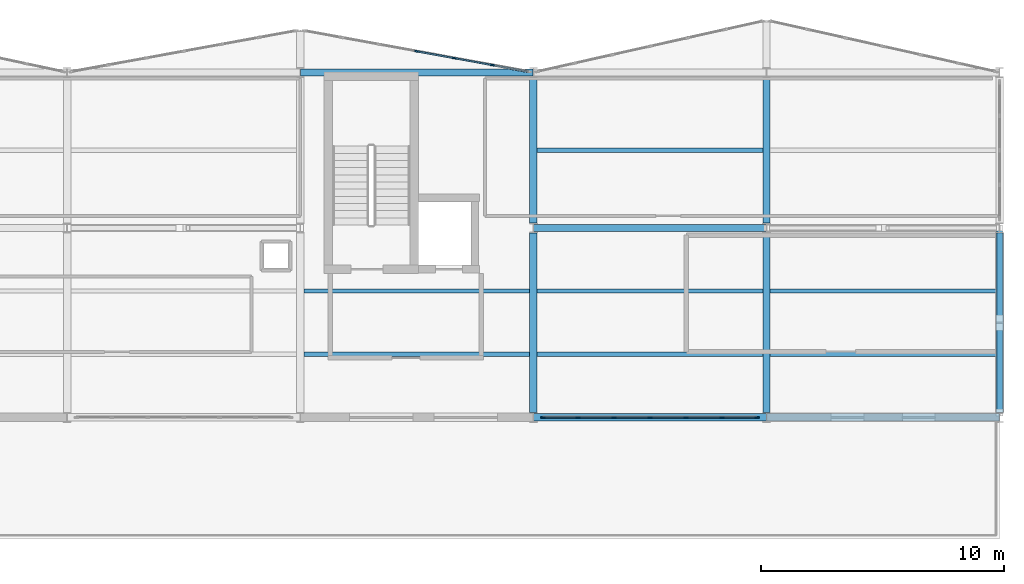
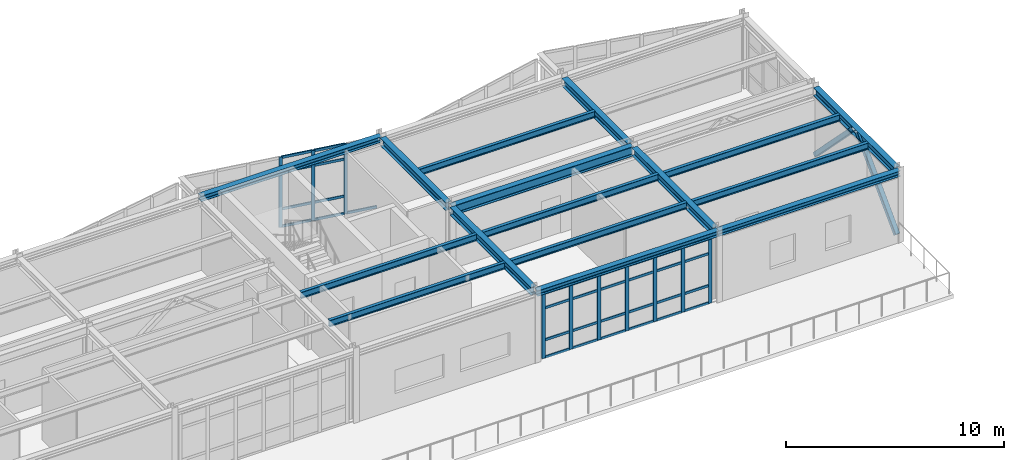
# One storey, part 25 of 47: 45 members, 16 beams, 2 elements without a shape of their own.
"""IFC4 building model written with IfcOpenShell, lengths in metres."""

from ifc_helpers import new_model, si_unit, direction, frame, origin, origin_2d, place, context, subcontext, project, spatial, rectangle, hollow_rectangle, i_section, extrude, material, layer, layer_set, material_profile, profile_set, type_object, element, aggregate, save


model = new_model("IFC4")

# Units and contexts
model_context = context("Model", 3, precision=1e-05, world=origin(), true_north=direction((0.0, 1.0)))
body_context = subcontext(model_context, "Body", "Model", "MODEL_VIEW")
ifc_project = project(units=[si_unit("LENGTHUNIT", "METRE"), si_unit("AREAUNIT", "SQUARE_METRE"), si_unit("VOLUMEUNIT", "CUBIC_METRE"), si_unit("PLANEANGLEUNIT", "RADIAN"), si_unit("MASSUNIT", "GRAM", prefix="KILO")], contexts=[model_context])

# Site, building, storey
site_placement = place(None, origin())
site = spatial("IfcSite", under=ifc_project, at=site_placement, CompositionType="ELEMENT")
building_placement = place(site_placement, origin())
building = spatial("IfcBuilding", under=site, at=building_placement, Name="Nordkorset Police Headquarters", CompositionType="ELEMENT")
storey_placement = place(building_placement, frame((0.0, 0.0, 22.050048828125)))
storey = spatial("IfcBuildingStorey", under=building, at=storey_placement, Name="L05", CompositionType="ELEMENT", Elevation=22.050048828125)

# Beams
ifc_material_1 = material(Name="Steel S355J2", Category="steel")
ifc_material_profile_1 = material_profile(ifc_material_1, i_section(OverallWidth=0.169921875, OverallDepth=0.360107421875, WebThickness=0.008056640625, FlangeThickness=0.0126953125, FilletRadius=0.01806640625, at=origin_2d()), Name="IPE 360")
ifc_profile_set_1 = profile_set([ifc_material_profile_1], Name="Steel S355J2")
beam_type_1 = type_object("IfcBeamType", Name="Beam_IPE_360", PredefinedType="BEAM", material=ifc_profile_set_1)
for number, where, z_axis, x_axis, name in (
    (1, (57.75, 105.199951171875, 3.820068359375), (1.0, 0.0, 0.0), (0.0, 1.0, 0.0), "Composite Floor Beam V2 L05 3-0-1"),
    (2, (57.75, 107.800048828125, 3.820068359375), (1.0, 0.0, 0.0), (0.0, 1.0, 0.0), "Composite Floor Beam V2 L05 3-0-2"),
):
    element("IfcBeam", number, at=place(storey_placement, frame(where, z_axis=z_axis, x_axis=x_axis)), inside=storey, type_object=beam_type_1, Name=name, PredefinedType="BEAM", context=body_context, shape_type="SweptSolid", body=[
        extrude(i_section(OverallWidth=0.169921875, OverallDepth=0.360107421875, WebThickness=0.008056640625, FlangeThickness=0.0126953125, FilletRadius=0.01806640625, at=origin_2d()), origin(), (0.0, 0.0, 1.0), 9.300048828125),
    ])
for number, where, z_axis, x_axis, name in (
    (3, (67.35009765625, 105.199951171875, 3.820068359375), (1.0, 0.0, 0.0), (0.0, 1.0, 0.0), "Composite Floor Beam V2 L05 4-0-1"),
    (4, (67.35009765625, 107.800048828125, 3.820068359375), (1.0, 0.0, 0.0), (0.0, 1.0, 0.0), "Composite Floor Beam V2 L05 4-0-2"),
    (5, (67.35009765625, 113.60009765625, 3.820068359375), (1.0, 0.0, 0.0), (0.0, 1.0, 0.0), "Composite Floor Beam V2 L05 4-1-1"),
):
    element("IfcBeam", number, at=place(storey_placement, frame(where, z_axis=z_axis, x_axis=x_axis)), inside=storey, type_object=beam_type_1, Name=name, PredefinedType="BEAM", context=body_context, shape_type="SweptSolid", body=[
        extrude(i_section(OverallWidth=0.169921875, OverallDepth=0.360107421875, WebThickness=0.008056640625, FlangeThickness=0.0126953125, FilletRadius=0.01806640625, at=origin_2d()), origin(), (0.0, 0.0, 1.0), 9.2998046875),
    ])
for number, where, z_axis, x_axis, name in (
    (6, (76.949951171875, 105.199951171875, 3.784912109375), (1.0, 0.0, 0.0), (0.0, 1.0, 0.0), "Composite Floor Beam V2 L05 5-0-1"),
    (7, (76.949951171875, 107.800048828125, 3.784912109375), (1.0, 0.0, 0.0), (0.0, 1.0, 0.0), "Composite Floor Beam V2 L05 5-0-2"),
):
    element("IfcBeam", number, at=place(storey_placement, frame(where, z_axis=z_axis, x_axis=x_axis)), inside=storey, type_object=beam_type_1, Name=name, PredefinedType="BEAM", context=body_context, shape_type="SweptSolid", body=[
        extrude(i_section(OverallWidth=0.169921875, OverallDepth=0.360107421875, WebThickness=0.008056640625, FlangeThickness=0.0126953125, FilletRadius=0.01806640625, at=origin_2d()), origin(), (0.0, 0.0, 1.0), 9.300048828125),
    ])

# Members
ifc_material_2 = material(Name="Steel S355J2", Category="steel")
ifc_material_profile_2 = material_profile(ifc_material_2, hollow_rectangle(XDim=0.25, YDim=0.25, WallThickness=0.012451171875, InnerFilletRadius=0.012451171875, OuterFilletRadius=0.02490234375, at=origin_2d()), Name="SHS 250x250x12.5")
ifc_profile_set_2 = profile_set([ifc_material_profile_2], Name="Steel S355J2")
member_type_1 = type_object("IfcMemberType", Name="Brace_SHS_250x250x12.5", PredefinedType="BRACE", material=ifc_profile_set_2)
for number, where, z_axis, x_axis, name in (
    (8, (86.39990234375, 102.800048828125, 0.199951171875), (0.0, 0.701100395581, 0.713062574615), (-1.0, 0.0, 0.0), "Lateral Chevron Brace BF-EXT-V2E L05 D1"),
    (9, (86.39990234375, 110.199951171875, 0.199951171875), (0.0, -0.701100395581, 0.713062574615), (1.0, 0.0, 0.0), "Lateral Chevron Brace BF-EXT-V2E L05 D2"),
):
    element("IfcMember", number, at=place(storey_placement, frame(where, z_axis=z_axis, x_axis=x_axis)), inside=storey, type_object=member_type_1, Name=name, PredefinedType="BRACE", context=body_context, shape_type="SweptSolid", body=[
        extrude(hollow_rectangle(XDim=0.25, YDim=0.25, WallThickness=0.012451171875, InnerFilletRadius=0.012451171875, OuterFilletRadius=0.02490234375, at=origin_2d()), origin(), (0.0, 0.0, 1.0), 5.020751953125),
    ])

# Curtain wall, members
ifc_material_3 = material(Name="Aluminium alloy AW-6060", Category="aluminium")
ifc_layer_1 = layer(ifc_material_3, 0.179931640625, Name="Aluminium alloy AW-6060")
ifc_layer_set_1 = layer_set([ifc_layer_1], Name="Aluminium alloy AW-6060")
curtain_wall_type_1 = type_object("IfcCurtainWallType", Name="CW_Unit_948x392", PredefinedType="USERDEFINED", material=ifc_layer_set_1)
curtain_wall_1_placement = place(storey_placement, origin())
curtain_wall_1 = element("IfcCurtainWall", 10, at=curtain_wall_1_placement, inside=storey, type_object=curtain_wall_type_1, Name="Unitised Curtain Wall L05 V2N-3", ObjectType="UNITISED CURTAIN WALL", PredefinedType="USERDEFINED")
ifc_material_4 = material(Name="Aluminium alloy AW-6060", Category="aluminium")
ifc_material_profile_3 = material_profile(ifc_material_4, rectangle(XDim=0.06494140625, YDim=0.179931640625, at=origin_2d()), Name="ALU MULL 65x180")
ifc_profile_set_3 = profile_set([ifc_material_profile_3], Name="Aluminium alloy AW-6060")
member_type_2 = type_object("IfcMemberType", Name="CW_Mullion_65x180", PredefinedType="MULLION", material=ifc_profile_set_3)
member_1_placement = place(storey_placement, frame((62.39990234375, 117.675048828125, 0.0), z_axis=(0.0, 0.0, 1.0), x_axis=(0.179335715876, 0.983787934979, 0.0)))
member_1 = element("IfcMember", 11, at=member_1_placement, type_object=member_type_2, Name="CW-65 mullion 4", PredefinedType="MULLION", context=body_context, shape_type="SweptSolid", body=[
    extrude(rectangle(XDim=0.06494140625, YDim=0.179931640625, at=origin_2d()), origin(), (0.0, 0.0, 1.0), 3.919921875),
])
member_2_placement = place(storey_placement, frame((63.9541015625, 117.3916015625, 0.0), z_axis=(0.0, 0.0, 1.0), x_axis=(0.179335715876, 0.983787934979, 0.0)))
member_2 = element("IfcMember", 12, at=member_2_placement, type_object=member_type_2, Name="CW-65 mullion 5", PredefinedType="MULLION", context=body_context, shape_type="SweptSolid", body=[
    extrude(rectangle(XDim=0.06494140625, YDim=0.179931640625, at=origin_2d()), origin(), (0.0, 0.0, 1.0), 3.919921875),
])
member_3_placement = place(storey_placement, frame((65.50830078125, 117.1083984375, 0.0), z_axis=(0.0, 0.0, 1.0), x_axis=(0.179335715876, 0.983787934979, 0.0)))
member_3 = element("IfcMember", 13, at=member_3_placement, type_object=member_type_2, Name="CW-65 mullion 6", PredefinedType="MULLION", context=body_context, shape_type="SweptSolid", body=[
    extrude(rectangle(XDim=0.06494140625, YDim=0.179931640625, at=origin_2d()), origin(), (0.0, 0.0, 1.0), 3.919921875),
])

ifc_material_5 = material(Name="Aluminium alloy AW-6060", Category="aluminium")
ifc_layer_2 = layer(ifc_material_5, 0.179931640625, Name="Aluminium alloy AW-6060")
ifc_layer_set_2 = layer_set([ifc_layer_2], Name="Aluminium alloy AW-6060")
curtain_wall_type_2 = type_object("IfcCurtainWallType", Name="CW_Unit_888x364", PredefinedType="USERDEFINED", material=ifc_layer_set_2)
curtain_wall_2_placement = place(storey_placement, origin())
curtain_wall_2 = element("IfcCurtainWall", 14, at=curtain_wall_2_placement, inside=storey, type_object=curtain_wall_type_2, Name="Unitised Curtain Wall L05 V2S-4", ObjectType="UNITISED CURTAIN WALL", PredefinedType="USERDEFINED")
member_4_placement = place(storey_placement, frame((67.592529296875, 102.60009765625, 0.0), z_axis=(0.0, 0.0, 1.0), x_axis=(0.0, 1.0, 0.0)))
member_4 = element("IfcMember", 15, at=member_4_placement, type_object=member_type_2, Name="CW-53 mullion 1", PredefinedType="MULLION", context=body_context, shape_type="SweptSolid", body=[
    extrude(rectangle(XDim=0.06494140625, YDim=0.179931640625, at=origin_2d()), origin(), (0.0, 0.0, 1.0), 3.635009765625),
])
member_5_placement = place(storey_placement, frame((69.0400390625, 102.60009765625, 0.0), z_axis=(0.0, 0.0, 1.0), x_axis=(0.0, 1.0, 0.0)))
member_5 = element("IfcMember", 16, at=member_5_placement, type_object=member_type_2, Name="CW-53 mullion 2", PredefinedType="MULLION", context=body_context, shape_type="SweptSolid", body=[
    extrude(rectangle(XDim=0.06494140625, YDim=0.179931640625, at=origin_2d()), origin(), (0.0, 0.0, 1.0), 3.635009765625),
])
member_6_placement = place(storey_placement, frame((70.52001953125, 102.60009765625, 0.0), z_axis=(0.0, 0.0, 1.0), x_axis=(0.0, 1.0, 0.0)))
member_6 = element("IfcMember", 17, at=member_6_placement, type_object=member_type_2, Name="CW-53 mullion 3", PredefinedType="MULLION", context=body_context, shape_type="SweptSolid", body=[
    extrude(rectangle(XDim=0.06494140625, YDim=0.179931640625, at=origin_2d()), origin(), (0.0, 0.0, 1.0), 3.635009765625),
])
member_7_placement = place(storey_placement, frame((72.0, 102.60009765625, 0.0), z_axis=(0.0, 0.0, 1.0), x_axis=(0.0, 1.0, 0.0)))
member_7 = element("IfcMember", 18, at=member_7_placement, type_object=member_type_2, Name="CW-53 mullion 4", PredefinedType="MULLION", context=body_context, shape_type="SweptSolid", body=[
    extrude(rectangle(XDim=0.06494140625, YDim=0.179931640625, at=origin_2d()), origin(), (0.0, 0.0, 1.0), 3.635009765625),
])
member_8_placement = place(storey_placement, frame((73.47998046875, 102.60009765625, 0.0), z_axis=(0.0, 0.0, 1.0), x_axis=(0.0, 1.0, 0.0)))
member_8 = element("IfcMember", 19, at=member_8_placement, type_object=member_type_2, Name="CW-53 mullion 5", PredefinedType="MULLION", context=body_context, shape_type="SweptSolid", body=[
    extrude(rectangle(XDim=0.06494140625, YDim=0.179931640625, at=origin_2d()), origin(), (0.0, 0.0, 1.0), 3.635009765625),
])
member_9_placement = place(storey_placement, frame((74.9599609375, 102.60009765625, 0.0), z_axis=(0.0, 0.0, 1.0), x_axis=(0.0, 1.0, 0.0)))
member_9 = element("IfcMember", 20, at=member_9_placement, type_object=member_type_2, Name="CW-53 mullion 6", PredefinedType="MULLION", context=body_context, shape_type="SweptSolid", body=[
    extrude(rectangle(XDim=0.06494140625, YDim=0.179931640625, at=origin_2d()), origin(), (0.0, 0.0, 1.0), 3.635009765625),
])
member_10_placement = place(storey_placement, frame((76.407470703125, 102.60009765625, 0.0), z_axis=(0.0, 0.0, 1.0), x_axis=(0.0, 1.0, 0.0)))
member_10 = element("IfcMember", 21, at=member_10_placement, type_object=member_type_2, Name="CW-53 mullion 7", PredefinedType="MULLION", context=body_context, shape_type="SweptSolid", body=[
    extrude(rectangle(XDim=0.06494140625, YDim=0.179931640625, at=origin_2d()), origin(), (0.0, 0.0, 1.0), 3.635009765625),
])

# Member
ifc_material_6 = material(Name="Aluminium alloy AW-6060", Category="aluminium")
ifc_material_profile_4 = material_profile(ifc_material_6, rectangle(XDim=0.06494140625, YDim=0.139892578125, at=origin_2d()), Name="ALU TRAN 65x140")
ifc_profile_set_4 = profile_set([ifc_material_profile_4], Name="Aluminium alloy AW-6060")
member_type_3 = type_object("IfcMemberType", Name="CW_Transom_65x140", PredefinedType="USERDEFINED", material=ifc_profile_set_4)
member_11_placement = place(storey_placement, frame((62.431884765625, 117.669189453125, 0.032470703125), z_axis=(0.983779529869, -0.179381817946, 0.0), x_axis=(0.179381817946, 0.983779529869, 0.0)))
member_11 = element("IfcMember", 22, at=member_11_placement, type_object=member_type_3, Name="CW-65 transom 4.1", ObjectType="TRANSOM", PredefinedType="USERDEFINED", context=body_context, shape_type="SweptSolid", body=[
    extrude(rectangle(XDim=0.06494140625, YDim=0.139892578125, at=origin_2d()), origin(), (0.0, 0.0, 1.0), 1.514892578125),
])

member_12_placement = place(storey_placement, frame((62.431884765625, 117.669189453125, 1.0), z_axis=(0.983779529869, -0.179381817946, 0.0), x_axis=(0.179381817946, 0.983779529869, 0.0)))
member_12 = element("IfcMember", 23, at=member_12_placement, type_object=member_type_3, Name="CW-65 transom 4.2", ObjectType="TRANSOM", PredefinedType="USERDEFINED", context=body_context, shape_type="SweptSolid", body=[
    extrude(rectangle(XDim=0.06494140625, YDim=0.139892578125, at=origin_2d()), origin(), (0.0, 0.0, 1.0), 1.514892578125),
])

member_13_placement = place(storey_placement, frame((62.431884765625, 117.669189453125, 3.070068359375), z_axis=(0.983779529869, -0.179381817946, 0.0), x_axis=(0.179381817946, 0.983779529869, 0.0)))
member_13 = element("IfcMember", 24, at=member_13_placement, type_object=member_type_3, Name="CW-65 transom 4.3", ObjectType="TRANSOM", PredefinedType="USERDEFINED", context=body_context, shape_type="SweptSolid", body=[
    extrude(rectangle(XDim=0.06494140625, YDim=0.139892578125, at=origin_2d()), origin(), (0.0, 0.0, 1.0), 1.514892578125),
])

member_14_placement = place(storey_placement, frame((62.431884765625, 117.669189453125, 3.887451171875), z_axis=(0.983779529869, -0.179381817946, 0.0), x_axis=(0.179381817946, 0.983779529869, 0.0)))
member_14 = element("IfcMember", 25, at=member_14_placement, type_object=member_type_3, Name="CW-65 transom 4.4", ObjectType="TRANSOM", PredefinedType="USERDEFINED", context=body_context, shape_type="SweptSolid", body=[
    extrude(rectangle(XDim=0.06494140625, YDim=0.139892578125, at=origin_2d()), origin(), (0.0, 0.0, 1.0), 1.514892578125),
])

member_15_placement = place(storey_placement, frame((63.986083984375, 117.385986328125, 0.032470703125), z_axis=(0.983779529869, -0.179381817946, 0.0), x_axis=(0.179381817946, 0.983779529869, 0.0)))
member_15 = element("IfcMember", 26, at=member_15_placement, type_object=member_type_3, Name="CW-65 transom 5.1", ObjectType="TRANSOM", PredefinedType="USERDEFINED", context=body_context, shape_type="SweptSolid", body=[
    extrude(rectangle(XDim=0.06494140625, YDim=0.139892578125, at=origin_2d()), origin(), (0.0, 0.0, 1.0), 1.514892578125),
])

member_16_placement = place(storey_placement, frame((63.986083984375, 117.385986328125, 1.0), z_axis=(0.983779529869, -0.179381817946, 0.0), x_axis=(0.179381817946, 0.983779529869, 0.0)))
member_16 = element("IfcMember", 27, at=member_16_placement, type_object=member_type_3, Name="CW-65 transom 5.2", ObjectType="TRANSOM", PredefinedType="USERDEFINED", context=body_context, shape_type="SweptSolid", body=[
    extrude(rectangle(XDim=0.06494140625, YDim=0.139892578125, at=origin_2d()), origin(), (0.0, 0.0, 1.0), 1.514892578125),
])

member_17_placement = place(storey_placement, frame((63.986083984375, 117.385986328125, 3.070068359375), z_axis=(0.983779529869, -0.179381817946, 0.0), x_axis=(0.179381817946, 0.983779529869, 0.0)))
member_17 = element("IfcMember", 28, at=member_17_placement, type_object=member_type_3, Name="CW-65 transom 5.3", ObjectType="TRANSOM", PredefinedType="USERDEFINED", context=body_context, shape_type="SweptSolid", body=[
    extrude(rectangle(XDim=0.06494140625, YDim=0.139892578125, at=origin_2d()), origin(), (0.0, 0.0, 1.0), 1.514892578125),
])

member_18_placement = place(storey_placement, frame((63.986083984375, 117.385986328125, 3.887451171875), z_axis=(0.983779529869, -0.179381817946, 0.0), x_axis=(0.179381817946, 0.983779529869, 0.0)))
member_18 = element("IfcMember", 29, at=member_18_placement, type_object=member_type_3, Name="CW-65 transom 5.4", ObjectType="TRANSOM", PredefinedType="USERDEFINED", context=body_context, shape_type="SweptSolid", body=[
    extrude(rectangle(XDim=0.06494140625, YDim=0.139892578125, at=origin_2d()), origin(), (0.0, 0.0, 1.0), 1.514892578125),
])

member_19_placement = place(storey_placement, frame((65.5400390625, 117.1025390625, 0.032470703125), z_axis=(0.98378282961, -0.179363720316, 0.0), x_axis=(0.179363720316, 0.98378282961, 0.0)))
member_19 = element("IfcMember", 30, at=member_19_placement, type_object=member_type_3, Name="CW-65 transom 6.1", ObjectType="TRANSOM", PredefinedType="USERDEFINED", context=body_context, shape_type="SweptSolid", body=[
    extrude(rectangle(XDim=0.06494140625, YDim=0.139892578125, at=origin_2d()), origin(), (0.0, 0.0, 1.0), 1.482177734375),
])

aggregate(curtain_wall_1, [member_1, member_2, member_3, member_11, member_12, member_13, member_14, member_15, member_16, member_17, member_18, member_19])

member_20_placement = place(storey_placement, frame((67.625, 102.60009765625, 0.032470703125), z_axis=(1.0, 0.0, 0.0), x_axis=(0.0, 1.0, 0.0)))
member_20 = element("IfcMember", 31, at=member_20_placement, type_object=member_type_3, Name="CW-53 transom 1.1", ObjectType="TRANSOM", PredefinedType="USERDEFINED", context=body_context, shape_type="SweptSolid", body=[
    extrude(rectangle(XDim=0.06494140625, YDim=0.139892578125, at=origin_2d()), origin(), (0.0, 0.0, 1.0), 1.382568359375),
])

member_21_placement = place(storey_placement, frame((67.625, 102.60009765625, 1.0), z_axis=(1.0, 0.0, 0.0), x_axis=(0.0, 1.0, 0.0)))
member_21 = element("IfcMember", 32, at=member_21_placement, type_object=member_type_3, Name="CW-53 transom 1.2", ObjectType="TRANSOM", PredefinedType="USERDEFINED", context=body_context, shape_type="SweptSolid", body=[
    extrude(rectangle(XDim=0.06494140625, YDim=0.139892578125, at=origin_2d()), origin(), (0.0, 0.0, 1.0), 1.382568359375),
])

member_22_placement = place(storey_placement, frame((67.625, 102.60009765625, 2.784912109375), z_axis=(1.0, 0.0, 0.0), x_axis=(0.0, 1.0, 0.0)))
member_22 = element("IfcMember", 33, at=member_22_placement, type_object=member_type_3, Name="CW-53 transom 1.3", ObjectType="TRANSOM", PredefinedType="USERDEFINED", context=body_context, shape_type="SweptSolid", body=[
    extrude(rectangle(XDim=0.06494140625, YDim=0.139892578125, at=origin_2d()), origin(), (0.0, 0.0, 1.0), 1.382568359375),
])

member_23_placement = place(storey_placement, frame((67.625, 102.60009765625, 3.6025390625), z_axis=(1.0, 0.0, 0.0), x_axis=(0.0, 1.0, 0.0)))
member_23 = element("IfcMember", 34, at=member_23_placement, type_object=member_type_3, Name="CW-53 transom 1.4", ObjectType="TRANSOM", PredefinedType="USERDEFINED", context=body_context, shape_type="SweptSolid", body=[
    extrude(rectangle(XDim=0.06494140625, YDim=0.139892578125, at=origin_2d()), origin(), (0.0, 0.0, 1.0), 1.382568359375),
])

member_24_placement = place(storey_placement, frame((69.072509765625, 102.60009765625, 0.032470703125), z_axis=(1.0, 0.0, 0.0), x_axis=(0.0, 1.0, 0.0)))
member_24 = element("IfcMember", 35, at=member_24_placement, type_object=member_type_3, Name="CW-53 transom 2.1", ObjectType="TRANSOM", PredefinedType="USERDEFINED", context=body_context, shape_type="SweptSolid", body=[
    extrude(rectangle(XDim=0.06494140625, YDim=0.139892578125, at=origin_2d()), origin(), (0.0, 0.0, 1.0), 1.4150390625),
])

member_25_placement = place(storey_placement, frame((69.072509765625, 102.60009765625, 1.0), z_axis=(1.0, 0.0, 0.0), x_axis=(0.0, 1.0, 0.0)))
member_25 = element("IfcMember", 36, at=member_25_placement, type_object=member_type_3, Name="CW-53 transom 2.2", ObjectType="TRANSOM", PredefinedType="USERDEFINED", context=body_context, shape_type="SweptSolid", body=[
    extrude(rectangle(XDim=0.06494140625, YDim=0.139892578125, at=origin_2d()), origin(), (0.0, 0.0, 1.0), 1.4150390625),
])

member_26_placement = place(storey_placement, frame((69.072509765625, 102.60009765625, 2.784912109375), z_axis=(1.0, 0.0, 0.0), x_axis=(0.0, 1.0, 0.0)))
member_26 = element("IfcMember", 37, at=member_26_placement, type_object=member_type_3, Name="CW-53 transom 2.3", ObjectType="TRANSOM", PredefinedType="USERDEFINED", context=body_context, shape_type="SweptSolid", body=[
    extrude(rectangle(XDim=0.06494140625, YDim=0.139892578125, at=origin_2d()), origin(), (0.0, 0.0, 1.0), 1.4150390625),
])

member_27_placement = place(storey_placement, frame((69.072509765625, 102.60009765625, 3.6025390625), z_axis=(1.0, 0.0, 0.0), x_axis=(0.0, 1.0, 0.0)))
member_27 = element("IfcMember", 38, at=member_27_placement, type_object=member_type_3, Name="CW-53 transom 2.4", ObjectType="TRANSOM", PredefinedType="USERDEFINED", context=body_context, shape_type="SweptSolid", body=[
    extrude(rectangle(XDim=0.06494140625, YDim=0.139892578125, at=origin_2d()), origin(), (0.0, 0.0, 1.0), 1.4150390625),
])

member_28_placement = place(storey_placement, frame((70.552490234375, 102.60009765625, 0.032470703125), z_axis=(1.0, 0.0, 0.0), x_axis=(0.0, 1.0, 0.0)))
member_28 = element("IfcMember", 39, at=member_28_placement, type_object=member_type_3, Name="CW-53 transom 3.1", ObjectType="TRANSOM", PredefinedType="USERDEFINED", context=body_context, shape_type="SweptSolid", body=[
    extrude(rectangle(XDim=0.06494140625, YDim=0.139892578125, at=origin_2d()), origin(), (0.0, 0.0, 1.0), 1.4150390625),
])

member_29_placement = place(storey_placement, frame((70.552490234375, 102.60009765625, 1.0), z_axis=(1.0, 0.0, 0.0), x_axis=(0.0, 1.0, 0.0)))
member_29 = element("IfcMember", 40, at=member_29_placement, type_object=member_type_3, Name="CW-53 transom 3.2", ObjectType="TRANSOM", PredefinedType="USERDEFINED", context=body_context, shape_type="SweptSolid", body=[
    extrude(rectangle(XDim=0.06494140625, YDim=0.139892578125, at=origin_2d()), origin(), (0.0, 0.0, 1.0), 1.4150390625),
])

member_30_placement = place(storey_placement, frame((70.552490234375, 102.60009765625, 2.784912109375), z_axis=(1.0, 0.0, 0.0), x_axis=(0.0, 1.0, 0.0)))
member_30 = element("IfcMember", 41, at=member_30_placement, type_object=member_type_3, Name="CW-53 transom 3.3", ObjectType="TRANSOM", PredefinedType="USERDEFINED", context=body_context, shape_type="SweptSolid", body=[
    extrude(rectangle(XDim=0.06494140625, YDim=0.139892578125, at=origin_2d()), origin(), (0.0, 0.0, 1.0), 1.4150390625),
])

member_31_placement = place(storey_placement, frame((70.552490234375, 102.60009765625, 3.6025390625), z_axis=(1.0, 0.0, 0.0), x_axis=(0.0, 1.0, 0.0)))
member_31 = element("IfcMember", 42, at=member_31_placement, type_object=member_type_3, Name="CW-53 transom 3.4", ObjectType="TRANSOM", PredefinedType="USERDEFINED", context=body_context, shape_type="SweptSolid", body=[
    extrude(rectangle(XDim=0.06494140625, YDim=0.139892578125, at=origin_2d()), origin(), (0.0, 0.0, 1.0), 1.4150390625),
])

member_32_placement = place(storey_placement, frame((72.032470703125, 102.60009765625, 0.032470703125), z_axis=(1.0, 0.0, 0.0), x_axis=(0.0, 1.0, 0.0)))
member_32 = element("IfcMember", 43, at=member_32_placement, type_object=member_type_3, Name="CW-53 transom 4.1", ObjectType="TRANSOM", PredefinedType="USERDEFINED", context=body_context, shape_type="SweptSolid", body=[
    extrude(rectangle(XDim=0.06494140625, YDim=0.139892578125, at=origin_2d()), origin(), (0.0, 0.0, 1.0), 1.4150390625),
])

member_33_placement = place(storey_placement, frame((72.032470703125, 102.60009765625, 1.0), z_axis=(1.0, 0.0, 0.0), x_axis=(0.0, 1.0, 0.0)))
member_33 = element("IfcMember", 44, at=member_33_placement, type_object=member_type_3, Name="CW-53 transom 4.2", ObjectType="TRANSOM", PredefinedType="USERDEFINED", context=body_context, shape_type="SweptSolid", body=[
    extrude(rectangle(XDim=0.06494140625, YDim=0.139892578125, at=origin_2d()), origin(), (0.0, 0.0, 1.0), 1.4150390625),
])

member_34_placement = place(storey_placement, frame((72.032470703125, 102.60009765625, 2.784912109375), z_axis=(1.0, 0.0, 0.0), x_axis=(0.0, 1.0, 0.0)))
member_34 = element("IfcMember", 45, at=member_34_placement, type_object=member_type_3, Name="CW-53 transom 4.3", ObjectType="TRANSOM", PredefinedType="USERDEFINED", context=body_context, shape_type="SweptSolid", body=[
    extrude(rectangle(XDim=0.06494140625, YDim=0.139892578125, at=origin_2d()), origin(), (0.0, 0.0, 1.0), 1.4150390625),
])

member_35_placement = place(storey_placement, frame((72.032470703125, 102.60009765625, 3.6025390625), z_axis=(1.0, 0.0, 0.0), x_axis=(0.0, 1.0, 0.0)))
member_35 = element("IfcMember", 46, at=member_35_placement, type_object=member_type_3, Name="CW-53 transom 4.4", ObjectType="TRANSOM", PredefinedType="USERDEFINED", context=body_context, shape_type="SweptSolid", body=[
    extrude(rectangle(XDim=0.06494140625, YDim=0.139892578125, at=origin_2d()), origin(), (0.0, 0.0, 1.0), 1.4150390625),
])

member_36_placement = place(storey_placement, frame((73.512451171875, 102.60009765625, 0.032470703125), z_axis=(1.0, 0.0, 0.0), x_axis=(0.0, 1.0, 0.0)))
member_36 = element("IfcMember", 47, at=member_36_placement, type_object=member_type_3, Name="CW-53 transom 5.1", ObjectType="TRANSOM", PredefinedType="USERDEFINED", context=body_context, shape_type="SweptSolid", body=[
    extrude(rectangle(XDim=0.06494140625, YDim=0.139892578125, at=origin_2d()), origin(), (0.0, 0.0, 1.0), 1.4150390625),
])

member_37_placement = place(storey_placement, frame((73.512451171875, 102.60009765625, 1.0), z_axis=(1.0, 0.0, 0.0), x_axis=(0.0, 1.0, 0.0)))
member_37 = element("IfcMember", 48, at=member_37_placement, type_object=member_type_3, Name="CW-53 transom 5.2", ObjectType="TRANSOM", PredefinedType="USERDEFINED", context=body_context, shape_type="SweptSolid", body=[
    extrude(rectangle(XDim=0.06494140625, YDim=0.139892578125, at=origin_2d()), origin(), (0.0, 0.0, 1.0), 1.4150390625),
])

member_38_placement = place(storey_placement, frame((73.512451171875, 102.60009765625, 2.784912109375), z_axis=(1.0, 0.0, 0.0), x_axis=(0.0, 1.0, 0.0)))
member_38 = element("IfcMember", 49, at=member_38_placement, type_object=member_type_3, Name="CW-53 transom 5.3", ObjectType="TRANSOM", PredefinedType="USERDEFINED", context=body_context, shape_type="SweptSolid", body=[
    extrude(rectangle(XDim=0.06494140625, YDim=0.139892578125, at=origin_2d()), origin(), (0.0, 0.0, 1.0), 1.4150390625),
])

member_39_placement = place(storey_placement, frame((73.512451171875, 102.60009765625, 3.6025390625), z_axis=(1.0, 0.0, 0.0), x_axis=(0.0, 1.0, 0.0)))
member_39 = element("IfcMember", 50, at=member_39_placement, type_object=member_type_3, Name="CW-53 transom 5.4", ObjectType="TRANSOM", PredefinedType="USERDEFINED", context=body_context, shape_type="SweptSolid", body=[
    extrude(rectangle(XDim=0.06494140625, YDim=0.139892578125, at=origin_2d()), origin(), (0.0, 0.0, 1.0), 1.4150390625),
])

member_40_placement = place(storey_placement, frame((74.992431640625, 102.60009765625, 0.032470703125), z_axis=(1.0, 0.0, 0.0), x_axis=(0.0, 1.0, 0.0)))
member_40 = element("IfcMember", 51, at=member_40_placement, type_object=member_type_3, Name="CW-53 transom 6.1", ObjectType="TRANSOM", PredefinedType="USERDEFINED", context=body_context, shape_type="SweptSolid", body=[
    extrude(rectangle(XDim=0.06494140625, YDim=0.139892578125, at=origin_2d()), origin(), (0.0, 0.0, 1.0), 1.382568359375),
])

member_41_placement = place(storey_placement, frame((74.992431640625, 102.60009765625, 1.0), z_axis=(1.0, 0.0, 0.0), x_axis=(0.0, 1.0, 0.0)))
member_41 = element("IfcMember", 52, at=member_41_placement, type_object=member_type_3, Name="CW-53 transom 6.2", ObjectType="TRANSOM", PredefinedType="USERDEFINED", context=body_context, shape_type="SweptSolid", body=[
    extrude(rectangle(XDim=0.06494140625, YDim=0.139892578125, at=origin_2d()), origin(), (0.0, 0.0, 1.0), 1.382568359375),
])

member_42_placement = place(storey_placement, frame((74.992431640625, 102.60009765625, 2.784912109375), z_axis=(1.0, 0.0, 0.0), x_axis=(0.0, 1.0, 0.0)))
member_42 = element("IfcMember", 53, at=member_42_placement, type_object=member_type_3, Name="CW-53 transom 6.3", ObjectType="TRANSOM", PredefinedType="USERDEFINED", context=body_context, shape_type="SweptSolid", body=[
    extrude(rectangle(XDim=0.06494140625, YDim=0.139892578125, at=origin_2d()), origin(), (0.0, 0.0, 1.0), 1.382568359375),
])

member_43_placement = place(storey_placement, frame((74.992431640625, 102.60009765625, 3.6025390625), z_axis=(1.0, 0.0, 0.0), x_axis=(0.0, 1.0, 0.0)))
member_43 = element("IfcMember", 54, at=member_43_placement, type_object=member_type_3, Name="CW-53 transom 6.4", ObjectType="TRANSOM", PredefinedType="USERDEFINED", context=body_context, shape_type="SweptSolid", body=[
    extrude(rectangle(XDim=0.06494140625, YDim=0.139892578125, at=origin_2d()), origin(), (0.0, 0.0, 1.0), 1.382568359375),
])

aggregate(curtain_wall_2, [member_4, member_5, member_6, member_7, member_8, member_9, member_10, member_20, member_21, member_22, member_23, member_24, member_25, member_26, member_27, member_28, member_29, member_30, member_31, member_32, member_33, member_34, member_35, member_36, member_37, member_38, member_39, member_40, member_41, member_42, member_43])

# Beams
ifc_material_7 = material(Name="Steel S355J2", Category="steel")
ifc_material_profile_5 = material_profile(ifc_material_7, i_section(OverallWidth=0.300048828125, OverallDepth=0.43994140625, WebThickness=0.011474609375, FlangeThickness=0.02099609375, FilletRadius=0.027099609375, at=origin_2d()), Name="HEA 450")
ifc_profile_set_5 = profile_set([ifc_material_profile_5], Name="Steel S355J2")
beam_type_2 = type_object("IfcBeamType", Name="Girder_HEA_450", PredefinedType="USERDEFINED", material=ifc_profile_set_5)
beam_1_placement = place(storey_placement, frame((67.199951171875, 102.800048828125, 3.780029296875), z_axis=(0.0, 1.0, 0.0), x_axis=(-1.0, 0.0, 0.0)))
element("IfcBeam", 55, at=beam_1_placement, inside=storey, type_object=beam_type_2, Name="Girder V2 L05 GY-4-0", ObjectType="GIRDER", PredefinedType="USERDEFINED", context=body_context, shape_type="SweptSolid", body=[
    extrude(i_section(OverallWidth=0.300048828125, OverallDepth=0.43994140625, WebThickness=0.011474609375, FlangeThickness=0.02099609375, FilletRadius=0.027099609375, at=origin_2d()), origin(), (0.0, 0.0, 1.0), 7.39990234375),
])
beam_2_placement = place(storey_placement, frame((67.199951171875, 110.60009765625, 3.780029296875), z_axis=(0.0, 1.0, 0.0), x_axis=(-1.0, 0.0, 0.0)))
element("IfcBeam", 56, at=beam_2_placement, inside=storey, type_object=beam_type_2, Name="Girder V2 L05 GY-4-1", ObjectType="GIRDER", PredefinedType="USERDEFINED", context=body_context, shape_type="SweptSolid", body=[
    extrude(i_section(OverallWidth=0.300048828125, OverallDepth=0.43994140625, WebThickness=0.011474609375, FlangeThickness=0.02099609375, FilletRadius=0.027099609375, at=origin_2d()), origin(), (0.0, 0.0, 1.0), 6.0),
])
beam_3_placement = place(storey_placement, frame((76.800048828125, 102.800048828125, 3.744873046875), z_axis=(0.0, 1.0, 0.0), x_axis=(-1.0, 0.0, 0.0)))
element("IfcBeam", 57, at=beam_3_placement, inside=storey, type_object=beam_type_2, Name="Girder V2 L05 GY-5-0", ObjectType="GIRDER", PredefinedType="USERDEFINED", context=body_context, shape_type="SweptSolid", body=[
    extrude(i_section(OverallWidth=0.300048828125, OverallDepth=0.43994140625, WebThickness=0.011474609375, FlangeThickness=0.02099609375, FilletRadius=0.027099609375, at=origin_2d()), origin(), (0.0, 0.0, 1.0), 7.39990234375),
])
beam_4_placement = place(storey_placement, frame((76.800048828125, 110.60009765625, 3.744873046875), z_axis=(0.0, 1.0, 0.0), x_axis=(-1.0, 0.0, 0.0)))
element("IfcBeam", 58, at=beam_4_placement, inside=storey, type_object=beam_type_2, Name="Girder V2 L05 GY-5-1", ObjectType="GIRDER", PredefinedType="USERDEFINED", context=body_context, shape_type="SweptSolid", body=[
    extrude(i_section(OverallWidth=0.300048828125, OverallDepth=0.43994140625, WebThickness=0.011474609375, FlangeThickness=0.02099609375, FilletRadius=0.027099609375, at=origin_2d()), origin(), (0.0, 0.0, 1.0), 6.0),
])
beam_5_placement = place(storey_placement, frame((86.39990234375, 102.800048828125, 3.744873046875), z_axis=(0.0, 1.0, 0.0), x_axis=(-1.0, 0.0, 0.0)))
element("IfcBeam", 59, at=beam_5_placement, inside=storey, type_object=beam_type_2, Name="Girder V2 L05 GY-6-0", ObjectType="GIRDER", PredefinedType="USERDEFINED", context=body_context, shape_type="SweptSolid", body=[
    extrude(i_section(OverallWidth=0.300048828125, OverallDepth=0.43994140625, WebThickness=0.011474609375, FlangeThickness=0.02099609375, FilletRadius=0.027099609375, at=origin_2d()), origin(), (0.0, 0.0, 1.0), 7.39990234375),
])
ifc_material_8 = material(Name="Steel S355J2", Category="steel")
ifc_material_profile_6 = material_profile(ifc_material_8, i_section(OverallWidth=0.300048828125, OverallDepth=0.5400390625, WebThickness=0.012451171875, FlangeThickness=0.02392578125, FilletRadius=0.027099609375, at=origin_2d()), Name="HEA 550")
ifc_profile_set_6 = profile_set([ifc_material_profile_6], Name="Steel S355J2")
beam_type_3 = type_object("IfcBeamType", Name="Girder_HEA_550", PredefinedType="USERDEFINED", material=ifc_profile_set_6)
beam_6_placement = place(storey_placement, frame((67.206787109375, 110.39990234375, 3.695068359375), z_axis=(1.0, 0.0, 0.0), x_axis=(0.0, 1.0, 0.0)))
element("IfcBeam", 60, at=beam_6_placement, inside=storey, type_object=beam_type_3, Name="Girder V2 L05 GX-1-4", ObjectType="GIRDER", PredefinedType="USERDEFINED", context=body_context, shape_type="SweptSolid", body=[
    extrude(i_section(OverallWidth=0.300048828125, OverallDepth=0.5400390625, WebThickness=0.012451171875, FlangeThickness=0.02392578125, FilletRadius=0.027099609375, at=origin_2d()), origin(), (0.0, 0.0, 1.0), 9.58642578125),
])
ifc_material_9 = material(Name="Steel S355J2", Category="steel")
ifc_material_profile_7 = material_profile(ifc_material_9, i_section(OverallWidth=0.300048828125, OverallDepth=0.31005859375, WebThickness=0.009033203125, FlangeThickness=0.015380859375, FilletRadius=0.027099609375, at=origin_2d()), Name="HEA 320")
ifc_profile_set_7 = profile_set([ifc_material_profile_7], Name="Steel S355J2")
beam_type_4 = type_object("IfcBeamType", Name="Spandrel_HEA_320", PredefinedType="SPANDREL", material=ifc_profile_set_7)
beam_7_placement = place(storey_placement, frame((67.206787109375, 102.60009765625, 3.81005859375), z_axis=(1.0, 0.0, 0.0), x_axis=(0.0, 1.0, 0.0)))
element("IfcBeam", 61, at=beam_7_placement, inside=storey, type_object=beam_type_4, Name="Girder V2 L05 GX-0-4", PredefinedType="SPANDREL", context=body_context, shape_type="SweptSolid", body=[
    extrude(i_section(OverallWidth=0.300048828125, OverallDepth=0.31005859375, WebThickness=0.009033203125, FlangeThickness=0.015380859375, FilletRadius=0.027099609375, at=origin_2d()), origin(), (0.0, 0.0, 1.0), 9.58642578125),
])
for number, where, z_axis, x_axis, name in (
    (62, (76.806640625, 102.60009765625, 3.81005859375), (1.0, 0.0, 0.0), (0.0, 1.0, 0.0), "Girder V2 L05 GX-0-5"),
    (63, (57.606689453125, 116.800048828125, 3.844970703125), (1.0, 0.0, 0.0), (0.0, 1.0, 0.0), "Girder V2 L05 GX-2-3"),
):
    element("IfcBeam", number, at=place(storey_placement, frame(where, z_axis=z_axis, x_axis=x_axis)), inside=storey, type_object=beam_type_4, Name=name, PredefinedType="SPANDREL", context=body_context, shape_type="SweptSolid", body=[
        extrude(i_section(OverallWidth=0.300048828125, OverallDepth=0.31005859375, WebThickness=0.009033203125, FlangeThickness=0.015380859375, FilletRadius=0.027099609375, at=origin_2d()), origin(), (0.0, 0.0, 1.0), 9.586669921875),
    ])

save(model, "model.ifc")
